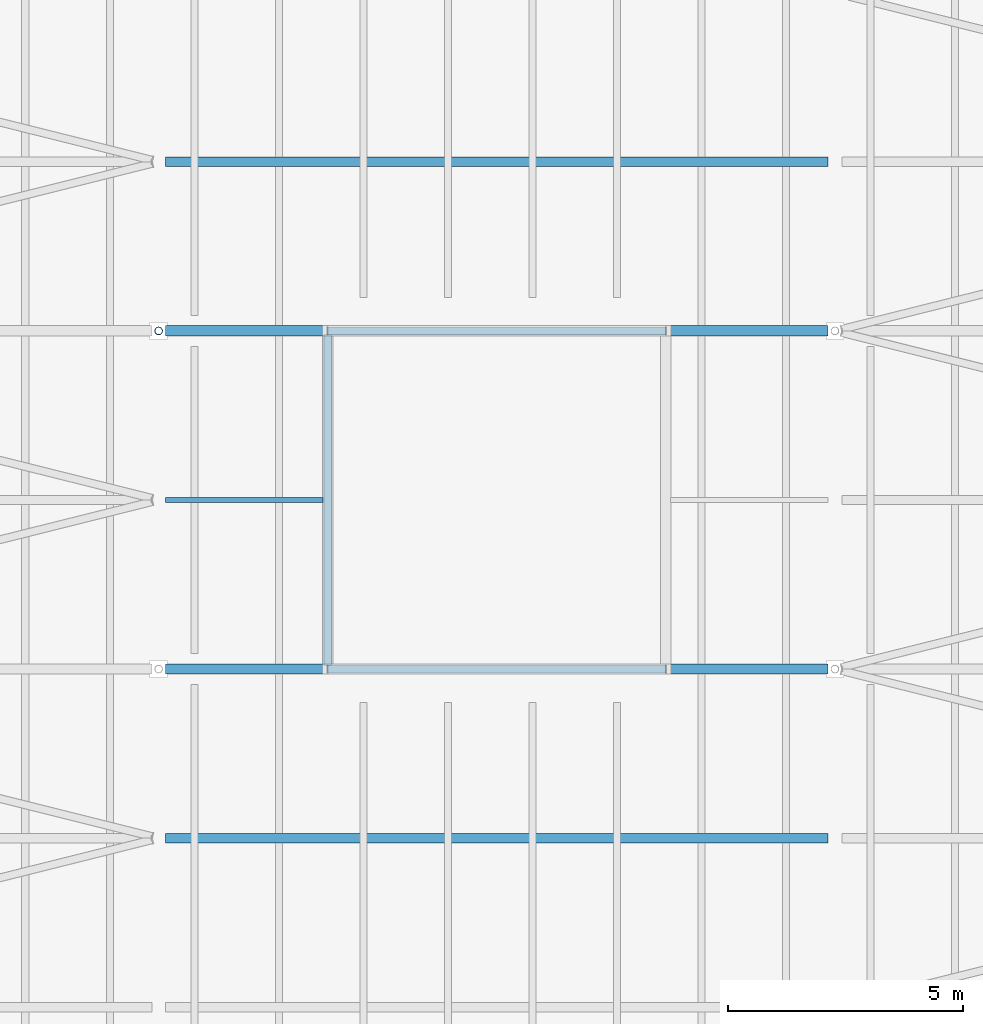
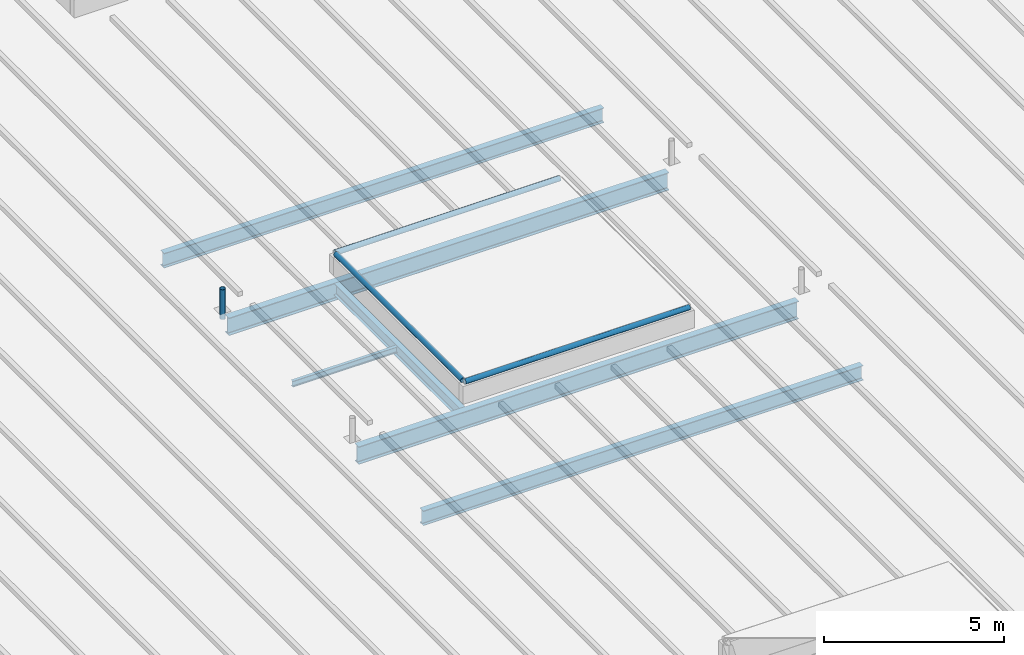
# One storey, part 28 of 120: 6 beams, 4 members.
"""IFC4 building model written with IfcOpenShell, lengths in metres."""

import ifcopenshell
import ifcopenshell.guid

model = None  # the IFC model being written
_history = None  # IfcOwnerHistory: only IFC2X3 demands one
_inside = {}  # id of a spatial element -> (the spatial element, [elements in it])
_under = {}  # id of a project, library or spatial element -> (it, [spatial elements below it])
_declared = {}  # id of a project -> (the project, [libraries it declares])
_typed = {}  # id of a type object -> (the type object, [elements of that type])
_made_of = {}  # id of a material, layer set ... -> (it, [elements and type objects made of it])


def new_model(schema):
    """Start an empty IFC model of exactly this schema.

    Asked for "IFC4X3", IfcOpenShell would pick the latest addendum, in which some entities
    have other attributes; the version numbers below select the first issue.
    IFC2X3 requires an IfcOwnerHistory on every rooted entity: one is made here for all.
    """
    global model, _history
    if schema == "IFC4X3":
        model = ifcopenshell.file(schema_version=(4, 3, 0, 0))
    else:
        model = ifcopenshell.file(schema=schema)
    _inside.clear()
    _under.clear()
    _declared.clear()
    _typed.clear()
    _made_of.clear()
    _history = None
    if model.schema == "IFC2X3":
        org = make("IfcOrganization", Name="unknown")
        user = make(
            "IfcPersonAndOrganization",
            ThePerson=make("IfcPerson", FamilyName="unknown"),
            TheOrganization=org,
        )
        app = make(
            "IfcApplication",
            ApplicationDeveloper=org,
            Version="unknown",
            ApplicationFullName="unknown",
            ApplicationIdentifier="unknown",
        )
        _history = make(
            "IfcOwnerHistory",
            OwningUser=user,
            OwningApplication=app,
            ChangeAction="ADDED",
            CreationDate=0,
        )
    return model


def make(cls, **values):
    """One entity of the class cls with the attributes given. An attribute that is None is left unset."""
    return model.create_entity(
        cls, **{name: value for name, value in values.items() if value is not None}
    )


def rooted(cls, **values):
    """An entity with a GlobalId (a new one), such as an element, a storey or a relation."""
    return make(cls, GlobalId=ifcopenshell.guid.new(), OwnerHistory=_history, **values)


def si_unit(unit_type, name, prefix=None):
    """IfcSIUnit, for example si_unit("LENGTHUNIT", "METRE", prefix="MILLI")."""
    return make("IfcSIUnit", UnitType=unit_type, Prefix=prefix, Name=name)


def assignment(units):
    """IfcUnitAssignment: the units of a project."""
    return None if units is None else make("IfcUnitAssignment", Units=units)


def point(xyz):
    """IfcCartesianPoint."""
    return None if xyz is None else make("IfcCartesianPoint", Coordinates=xyz)


def direction(xyz):
    """IfcDirection."""
    return None if xyz is None else make("IfcDirection", DirectionRatios=xyz)


def frame(location, z_axis=None, x_axis=None):
    """IfcAxis2Placement3D, a coordinate frame: its origin and axes. An axis left out is left unset."""
    return make(
        "IfcAxis2Placement3D",
        Location=point(location),
        Axis=direction(z_axis),
        RefDirection=direction(x_axis),
    )


def frame_2d(location, x_axis=None):
    """IfcAxis2Placement2D, a coordinate frame in the plane: its origin and x axis."""
    return make(
        "IfcAxis2Placement2D", Location=point(location), RefDirection=direction(x_axis)
    )


def origin():
    """The frame at (0, 0, 0) with its axes left unset."""
    return frame((0.0, 0.0, 0.0))


def origin_2d():
    """The frame at (0, 0) in the plane with its x axis left unset."""
    return frame_2d((0.0, 0.0))


def place(relative_to, where):
    """IfcLocalPlacement: puts the frame where relative to a parent placement (None: the world)."""
    return make(
        "IfcLocalPlacement", PlacementRelTo=relative_to, RelativePlacement=where
    )


def context(
    kind, dimensions, precision=None, world=None, true_north=None, identifier=None
):
    """IfcGeometricRepresentationContext, for example the 3D "Model" context."""
    return make(
        "IfcGeometricRepresentationContext",
        ContextIdentifier=identifier,
        ContextType=kind,
        CoordinateSpaceDimension=dimensions,
        Precision=precision,
        WorldCoordinateSystem=world,
        TrueNorth=true_north,
    )


def subcontext(parent, identifier, kind, view, scale=None):
    """IfcGeometricRepresentationSubContext, for example "Body" below "Model"."""
    return make(
        "IfcGeometricRepresentationSubContext",
        ContextIdentifier=identifier,
        ContextType=kind,
        ParentContext=parent,
        TargetScale=scale,
        TargetView=view,
    )


def project(units=None, contexts=None):
    """IfcProject with its units and contexts."""
    return rooted(
        "IfcProject",
        Name="project",
        RepresentationContexts=contexts,
        UnitsInContext=assignment(units),
    )


def spatial(cls, under=None, at=None, **own):
    """A site, building, storey or space (cls), placed at a placement, below another one or the project."""
    s = rooted(cls, ObjectPlacement=at, **own)
    if under is not None:
        _under.setdefault(under.id(), (under, []))[1].append(s)
    return s


def profile(cls, at=None, kind="AREA", **sizes):
    """A parametric profile (cls). Its sizes go by their IFC names, for example OverallWidth=200.0."""
    return make(cls, ProfileType=kind, Position=at, **sizes)


def hollow_circle(**sizes):
    """IfcCircleHollowProfileDef."""
    return profile("IfcCircleHollowProfileDef", **sizes)


def i_section(**sizes):
    """IfcIShapeProfileDef."""
    return profile("IfcIShapeProfileDef", **sizes)


def extrude(swept, where, along, depth):
    """IfcExtrudedAreaSolid: the profile swept, set in the frame where, extruded along a direction by depth."""
    return make(
        "IfcExtrudedAreaSolid",
        SweptArea=swept,
        Position=where,
        ExtrudedDirection=direction(along),
        Depth=depth,
    )


def shape(context_of_items, identifier, shape_type, items):
    """IfcShapeRepresentation: the items that make up one representation, for example the "Body"."""
    return make(
        "IfcShapeRepresentation",
        ContextOfItems=context_of_items,
        RepresentationIdentifier=identifier,
        RepresentationType=shape_type,
        Items=items,
    )


def material(Name=None, Category=None):
    """IfcMaterial."""
    return make("IfcMaterial", Name=Name, Category=Category)


def material_profile(
    of_material, cross_section, Name=None, Category=None, Priority=None
):
    """IfcMaterialProfile: a cross section and its material."""
    return make(
        "IfcMaterialProfile",
        Name=Name,
        Material=of_material,
        Profile=cross_section,
        Priority=Priority,
        Category=Category,
    )


def profile_set(profiles, Name=None, composite=None):
    """IfcMaterialProfileSet."""
    return make(
        "IfcMaterialProfileSet",
        Name=Name,
        MaterialProfiles=profiles,
        CompositeProfile=composite,
    )


def made_of(thing, what):
    """Note that an element or type object is made of a material, layer set ...; save() writes the relation."""
    if what is not None:
        _made_of.setdefault(what.id(), (what, []))[1].append(thing)
    return thing


def type_object(cls, material=None, **own):
    """A type object (cls), such as IfcWallType, which elements share."""
    return made_of(rooted(cls, **own), material)


def element(
    cls,
    number,
    at=None,
    inside=None,
    cuts=None,
    type_object=None,
    material=None,
    context=None,
    identifier="Body",
    shape_type=None,
    held_by="IfcProductDefinitionShape",
    body=None,
    shapes=None,
    **own,
):
    """One element of the class cls, such as IfcWall. Its Tag is "e" and its number.

    at: its placement. inside: the storey or other place that contains it. cuts: it is an
    opening in that element (IfcRelVoidsElement). A single representation is given by context,
    identifier, shape_type and body (its items); several are given by shapes. held_by: the class
    of the entity that holds the representations. save() writes the other relations.
    """
    e = rooted(cls, Tag="e%d" % number, ObjectPlacement=at, **own)
    if body is not None:
        shapes = [shape(context, identifier, shape_type, body)]
    if shapes is not None:
        e.Representation = make(held_by, Representations=shapes)
    if inside is not None:
        _inside.setdefault(inside.id(), (inside, []))[1].append(e)
    if cuts is not None:
        rooted(
            "IfcRelVoidsElement", RelatingBuildingElement=cuts, RelatedOpeningElement=e
        )
    if type_object is not None:
        _typed.setdefault(type_object.id(), (type_object, []))[1].append(e)
    return made_of(e, material)


def aggregate(whole, parts):
    """IfcRelAggregates: a whole, such as a stair, and the parts it consists of."""
    return rooted("IfcRelAggregates", RelatingObject=whole, RelatedObjects=parts)


def save(model, path):
    """Write the relations noted so far, then the file.

    IfcRelAggregates (storeys below a building ...), IfcRelContainedInSpatialStructure (elements
    in a storey), IfcRelDefinesByType, IfcRelAssociatesMaterial and IfcRelDeclares: one each for
    every whole, place, type object, material and project.
    """
    for whole, parts in _under.values():
        aggregate(whole, parts)
    for where, things in _inside.values():
        rooted(
            "IfcRelContainedInSpatialStructure",
            RelatedElements=things,
            RelatingStructure=where,
        )
    for kind, things in _typed.values():
        rooted("IfcRelDefinesByType", RelatedObjects=things, RelatingType=kind)
    for what, things in _made_of.values():
        rooted("IfcRelAssociatesMaterial", RelatedObjects=things, RelatingMaterial=what)
    for by, libraries in _declared.values():
        rooted("IfcRelDeclares", RelatingContext=by, RelatedDefinitions=libraries)
    model.write(path)


model = new_model("IFC4")

# Units and contexts
model_context = context("Model", 3, precision=1e-05, world=origin(), true_north=direction((0.0, 1.0)))
body_context = subcontext(model_context, "Body", "Model", "MODEL_VIEW")
ifc_project = project(units=[si_unit("LENGTHUNIT", "METRE"), si_unit("AREAUNIT", "SQUARE_METRE"), si_unit("VOLUMEUNIT", "CUBIC_METRE"), si_unit("PLANEANGLEUNIT", "RADIAN"), si_unit("MASSUNIT", "GRAM", prefix="KILO")], contexts=[model_context])

# Site, building, storey
site_placement = place(None, origin())
site = spatial("IfcSite", under=ifc_project, at=site_placement, CompositionType="ELEMENT")
building_placement = place(site_placement, origin())
building = spatial("IfcBuilding", under=site, at=building_placement, Name="Kupolbacken Congress Centre", CompositionType="ELEMENT")
storey_placement = place(building_placement, frame((0.0, 0.0, 21.60009765625)))
storey = spatial("IfcBuildingStorey", under=building, at=storey_placement, Name="L06", CompositionType="ELEMENT", Elevation=21.60009765625)

# Beams
ifc_material_1 = material(Name="Steel S355", Category="steel")
ifc_material_profile_1 = material_profile(ifc_material_1, i_section(OverallWidth=0.10009765625, OverallDepth=0.199951171875, WebThickness=0.005615234375, FlangeThickness=0.008544921875, FilletRadius=0.011962890625, at=origin_2d()), Name="IPE 200")
ifc_profile_set_1 = profile_set([ifc_material_profile_1], Name="Steel S355")
beam_type_1 = type_object("IfcBeamType", Name="B01 beam IPE 200", PredefinedType="BEAM", material=ifc_profile_set_1)
beam_1_placement = place(storey_placement, frame((136.945068359375, 79.199951171875, -0.10009765625), z_axis=(1.0, 0.0, 0.0), x_axis=(0.0, 1.0, 0.0)))
element("IfcBeam", 1, at=beam_1_placement, inside=storey, type_object=beam_type_1, Name="HR/P10-04-0", PredefinedType="BEAM", context=body_context, shape_type="SweptSolid", body=[
    extrude(i_section(OverallWidth=0.10009765625, OverallDepth=0.199951171875, WebThickness=0.005615234375, FlangeThickness=0.008544921875, FilletRadius=0.011962890625, at=origin_2d()), origin(), (0.0, 0.0, 1.0), 3.35498046875),
])
ifc_material_2 = material(Name="Steel S355", Category="steel")
ifc_material_profile_2 = material_profile(ifc_material_2, i_section(OverallWidth=0.179931640625, OverallDepth=0.39990234375, WebThickness=0.008544921875, FlangeThickness=0.013427734375, FilletRadius=0.02099609375, at=origin_2d()), Name="IPE 400")
ifc_profile_set_2 = profile_set([ifc_material_profile_2], Name="Steel S355")
beam_type_2 = type_object("IfcBeamType", Name="B07 beam IPE 400", PredefinedType="BEAM", material=ifc_profile_set_2)
beam_2_placement = place(storey_placement, frame((140.39990234375, 75.699951171875, -0.2001953125), z_axis=(0.0, 1.0, 0.0), x_axis=(-1.0, 0.0, 0.0)))
element("IfcBeam", 2, at=beam_2_placement, inside=storey, type_object=beam_type_2, Name="HR/CT5W", PredefinedType="BEAM", context=body_context, shape_type="SweptSolid", body=[
    extrude(i_section(OverallWidth=0.179931640625, OverallDepth=0.39990234375, WebThickness=0.008544921875, FlangeThickness=0.013427734375, FilletRadius=0.02099609375, at=origin_2d()), origin(), (0.0, 0.0, 1.0), 7.0),
])
ifc_material_3 = material(Name="Steel S355", Category="steel")
ifc_material_profile_3 = material_profile(ifc_material_3, i_section(OverallWidth=0.199951171875, OverallDepth=0.5, WebThickness=0.01025390625, FlangeThickness=0.01611328125, FilletRadius=0.02099609375, at=origin_2d()), Name="IPE 500")
ifc_profile_set_3 = profile_set([ifc_material_profile_3], Name="Steel S355")
beam_type_3 = type_object("IfcBeamType", Name="B09 beam IPE 500", PredefinedType="BEAM", material=ifc_profile_set_3)
for number, where, z_axis, x_axis, name in (
    (3, (136.945068359375, 72.0, -0.25), (1.0, 0.0, 0.0), (0.0, 1.0, 0.0), "HR/P08-04"),
    (4, (136.945068359375, 86.39990234375, -0.25), (1.0, 0.0, 0.0), (0.0, 1.0, 0.0), "HR/P12-04"),
):
    element("IfcBeam", number, at=place(storey_placement, frame(where, z_axis=z_axis, x_axis=x_axis)), inside=storey, type_object=beam_type_3, Name=name, PredefinedType="BEAM", context=body_context, shape_type="SweptSolid", body=[
        extrude(i_section(OverallWidth=0.199951171875, OverallDepth=0.5, WebThickness=0.01025390625, FlangeThickness=0.01611328125, FilletRadius=0.02099609375, at=origin_2d()), origin(), (0.0, 0.0, 1.0), 14.10986328125),
    ])
ifc_material_4 = material(Name="Steel S355", Category="steel")
ifc_material_profile_4 = material_profile(ifc_material_4, i_section(OverallWidth=0.219970703125, OverallDepth=0.60009765625, WebThickness=0.011962890625, FlangeThickness=0.01904296875, FilletRadius=0.02392578125, at=origin_2d()), Name="IPE 600")
ifc_profile_set_4 = profile_set([ifc_material_profile_4], Name="Steel S355")
beam_type_4 = type_object("IfcBeamType", Name="B11 beam IPE 600", PredefinedType="BEAM", material=ifc_profile_set_4)
for number, where, z_axis, x_axis, name in (
    (5, (136.945068359375, 75.60009765625, -0.300048828125), (1.0, 0.0, 0.0), (0.0, 1.0, 0.0), "HR/X09-04"),
    (6, (136.945068359375, 82.800048828125, -0.300048828125), (1.0, 0.0, 0.0), (0.0, 1.0, 0.0), "HR/X11-04"),
):
    element("IfcBeam", number, at=place(storey_placement, frame(where, z_axis=z_axis, x_axis=x_axis)), inside=storey, type_object=beam_type_4, Name=name, PredefinedType="BEAM", context=body_context, shape_type="SweptSolid", body=[
        extrude(i_section(OverallWidth=0.219970703125, OverallDepth=0.60009765625, WebThickness=0.011962890625, FlangeThickness=0.01904296875, FilletRadius=0.02392578125, at=origin_2d()), origin(), (0.0, 0.0, 1.0), 14.10986328125),
    ])

# Members
ifc_material_5 = material(Name="Steel S355", Category="steel")
ifc_material_profile_5 = material_profile(ifc_material_5, hollow_circle(Radius=0.084228515625, WallThickness=0.008056640625, at=origin_2d()), Name="CHS 168.3 x 8")
ifc_profile_set_5 = profile_set([ifc_material_profile_5], Name="Steel S355")
member_type_1 = type_object("IfcMemberType", Name="M20 transfer truss post CHS 168.3 x 8", PredefinedType="STRUT", material=ifc_profile_set_5)
member_1_placement = place(storey_placement, frame((136.800048828125, 82.800048828125, -0.010009765625), z_axis=(0.0, 0.0, 1.0), x_axis=(1.0, 0.0, 0.0)))
element("IfcMember", 7, at=member_1_placement, inside=storey, type_object=member_type_1, Name="Roof stay anchor post M4N.2", PredefinedType="STRUT", context=body_context, shape_type="SweptSolid", body=[
    extrude(hollow_circle(Radius=0.084228515625, WallThickness=0.008056640625, at=origin_2d()), origin(), (0.0, 0.0, 1.0), 1.010009765625),
])
ifc_material_6 = material(Name="Steel S355", Category="steel")
ifc_material_profile_6 = material_profile(ifc_material_6, hollow_circle(Radius=0.084228515625, WallThickness=0.008056640625, at=origin_2d()), Name="CHS 168.3 x 8")
ifc_profile_set_6 = profile_set([ifc_material_profile_6], Name="Steel S355")
member_type_2 = type_object("IfcMemberType", Name="M21 brace CHS 168.3 x 8", PredefinedType="BRACE", material=ifc_profile_set_6)
for number, where, z_axis, x_axis, name in (
    (8, (140.39990234375, 75.60009765625, 0.944091796875), (1.0, 0.0, 0.0), (0.0, 1.0, 0.0), "RD/RL5/FS"),
    (9, (140.39990234375, 82.800048828125, 0.944091796875), (1.0, 0.0, 0.0), (0.0, 1.0, 0.0), "RD/RL5/FN"),
):
    element("IfcMember", number, at=place(storey_placement, frame(where, z_axis=z_axis, x_axis=x_axis)), inside=storey, type_object=member_type_2, Name=name, PredefinedType="BRACE", context=body_context, shape_type="SweptSolid", body=[
        extrude(hollow_circle(Radius=0.084228515625, WallThickness=0.008056640625, at=origin_2d()), origin(), (0.0, 0.0, 1.0), 7.2001953125),
    ])
member_2_placement = place(storey_placement, frame((140.39990234375, 75.674072265625, 0.944091796875), z_axis=(0.0, 1.0, 0.0), x_axis=(-1.0, 0.0, 0.0)))
element("IfcMember", 10, at=member_2_placement, inside=storey, type_object=member_type_2, Name="RD/RL5/FW", PredefinedType="BRACE", context=body_context, shape_type="SweptSolid", body=[
    extrude(hollow_circle(Radius=0.084228515625, WallThickness=0.008056640625, at=origin_2d()), origin(), (0.0, 0.0, 1.0), 7.0517578125),
])

save(model, "model.ifc")
